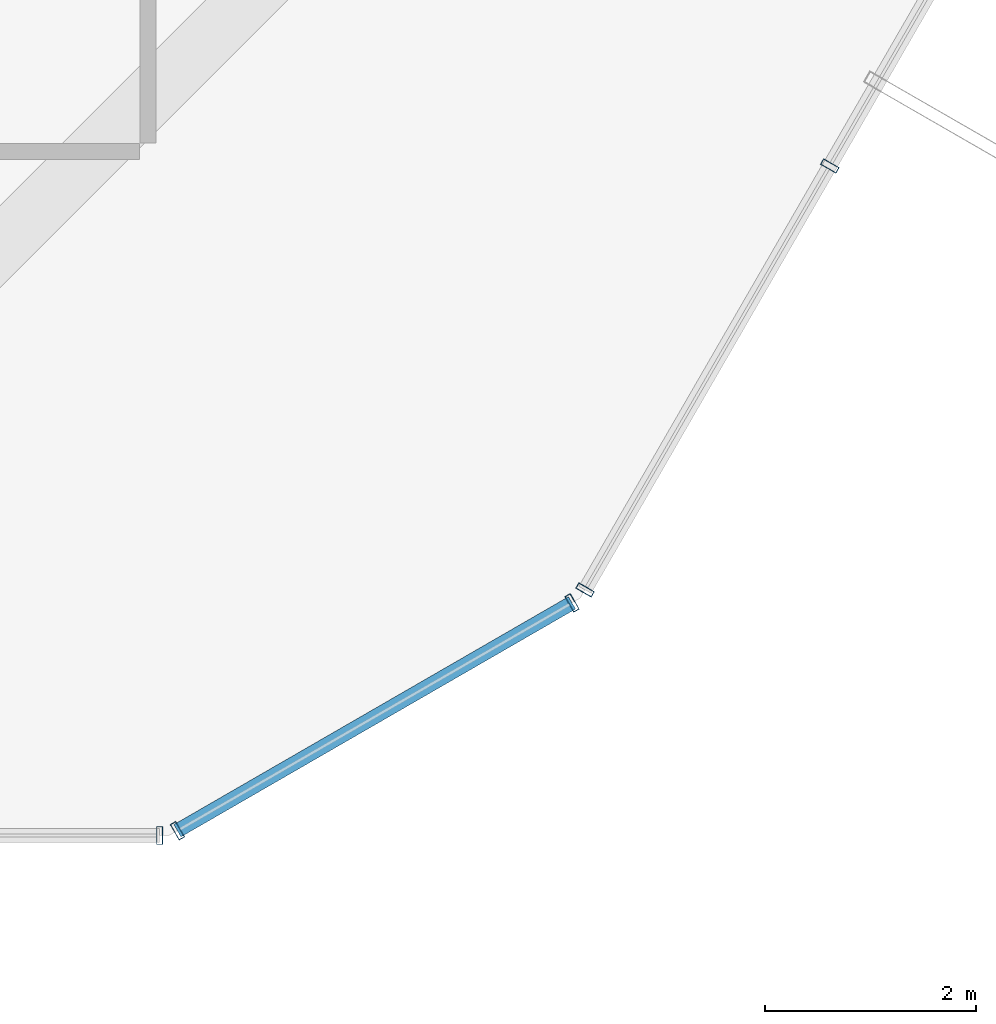
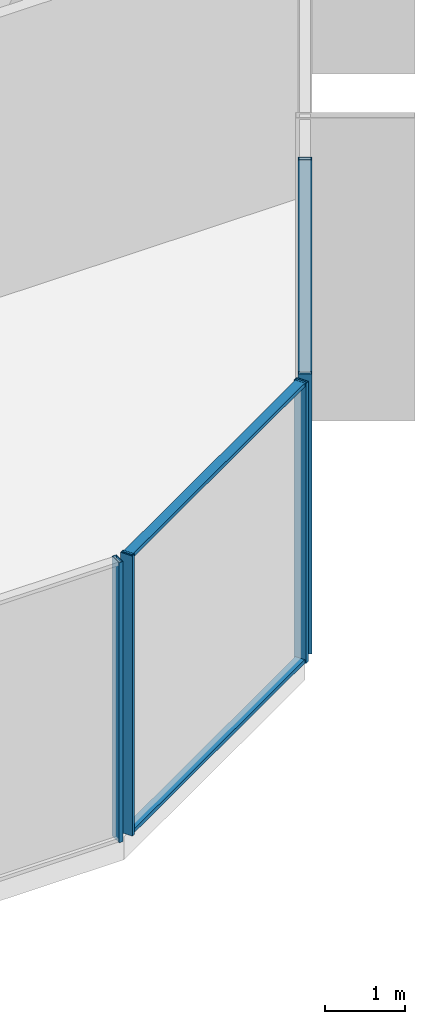
# One storey, part 14 of 39: 7 members, 3 elements without a shape of their own.
"""IFC4 building model written with IfcOpenShell, lengths in metres."""

from ifc_helpers import new_model, si_unit, direction, frame, origin, origin_2d, place, context, subcontext, project, spatial, hollow_rectangle, extrude, source, transform, mapped, material, layer, layer_set, material_profile, profile_set, type_object, element, aggregate, save


model = new_model("IFC4")

# Units and contexts
model_context = context("Model", 3, precision=1e-05, world=origin(), true_north=direction((0.0, 1.0)))
body_context = subcontext(model_context, "Body", "Model", "MODEL_VIEW")
ifc_project = project(units=[si_unit("LENGTHUNIT", "METRE"), si_unit("AREAUNIT", "SQUARE_METRE"), si_unit("VOLUMEUNIT", "CUBIC_METRE"), si_unit("PLANEANGLEUNIT", "RADIAN"), si_unit("MASSUNIT", "GRAM", prefix="KILO")], contexts=[model_context])

# Site, building, storey
site_placement = place(None, origin())
site = spatial("IfcSite", under=ifc_project, at=site_placement, CompositionType="ELEMENT")
building_placement = place(site_placement, origin())
building = spatial("IfcBuilding", under=site, at=building_placement, Name="Veraguas Prism Commons", CompositionType="ELEMENT")
storey_placement = place(building_placement, frame((0.0, 0.0, 22.800048828125)))
storey = spatial("IfcBuildingStorey", under=building, at=storey_placement, Name="L05", CompositionType="ELEMENT", Elevation=22.800048828125)

# Curtain wall, member
ifc_material = material(Name="Anodised aluminium EN AW-6063 T6", Category="aluminium")
ifc_layer = layer(ifc_material, 0.169921875, Name="Unitised Flush Curtain Wall Zone 1", Category="aluminium")
ifc_layer_set = layer_set([ifc_layer], Name="Anodised aluminium EN AW-6063 T6")
curtain_wall_type = type_object("IfcCurtainWallType", Name="Unitised Flush Curtain Wall Zone 1", PredefinedType="NOTDEFINED", material=ifc_layer_set)
curtain_wall_1_placement = place(storey_placement, origin())
curtain_wall_1 = element("IfcCurtainWall", 1, at=curtain_wall_1_placement, inside=storey, type_object=curtain_wall_type, Name="Tower Facade Curtain Wall L05-F5", PredefinedType="NOTDEFINED")
ifc_material_profile_1 = material_profile(ifc_material, hollow_rectangle(XDim=0.06005859375, YDim=0.169921875, WallThickness=0.00390625, at=origin_2d()), Name="AL60X170X4")
ifc_profile_set_1 = profile_set([ifc_material_profile_1], Name="Anodised aluminium EN AW-6063 T6")
member_type_1 = type_object("IfcMemberType", Name="Curtain Wall Mullion Lower AL 60x170x4", PredefinedType="MULLION", material=ifc_profile_set_1)
shared_shape_1 = source(origin(), body_context, "Body", "SweptSolid", [
    extrude(hollow_rectangle(XDim=0.06005859375, YDim=0.169921875, WallThickness=0.00390625, at=origin_2d()), origin(), (0.0, 0.0, 1.0), 4.25),
])
member_1_placement = place(storey_placement, frame((33.31201171875, 3.21533203125, 0.0), z_axis=(0.0, 0.0, 1.0), x_axis=(1.0, 0.0, 0.0)))
member_1 = element("IfcMember", 2, at=member_1_placement, type_object=member_type_1, Name="CW-Z1 Mullion 5", PredefinedType="MULLION", context=body_context, shape_type="MappedRepresentation", body=[
    mapped(shared_shape_1, transform((0.0, 0.0, 0.0), scale=1.0)),
])
aggregate(curtain_wall_1, [member_1])

# Curtain wall, members
curtain_wall_2_placement = place(storey_placement, origin())
curtain_wall_2 = element("IfcCurtainWall", 3, at=curtain_wall_2_placement, inside=storey, type_object=curtain_wall_type, Name="Tower Facade Curtain Wall L05-F6", PredefinedType="NOTDEFINED")
member_2_placement = place(storey_placement, frame((37.343994140625, 5.54345703125, 0.0), z_axis=(0.0, 0.0, 1.0), x_axis=(0.500004534492, 0.866022785779, 0.0)))
member_2 = element("IfcMember", 4, at=member_2_placement, type_object=member_type_1, Name="CW-Z1 Mullion 1", PredefinedType="MULLION", context=body_context, shape_type="MappedRepresentation", body=[
    mapped(shared_shape_1, transform((0.0, 0.0, 0.0), scale=1.0)),
])
member_3_placement = place(storey_placement, frame((39.66455078125, 9.5625, 0.0), z_axis=(0.0, 0.0, 1.0), x_axis=(0.500004534492, 0.866022785779, 0.0)))
member_3 = element("IfcMember", 5, at=member_3_placement, type_object=member_type_1, Name="CW-Z1 Mullion 2", PredefinedType="MULLION", context=body_context, shape_type="MappedRepresentation", body=[
    mapped(shared_shape_1, transform((0.0, 0.0, 0.0), scale=1.0)),
])
aggregate(curtain_wall_2, [member_2, member_3])

curtain_wall_3_placement = place(storey_placement, origin())
curtain_wall_3 = element("IfcCurtainWall", 6, at=curtain_wall_3_placement, inside=storey, type_object=curtain_wall_type, Name="Chamfer Curtain Wall L05-C6", PredefinedType="NOTDEFINED")
member_4_placement = place(storey_placement, frame((33.47998046875, 3.260498046875, 0.0), z_axis=(0.0, 0.0, 1.0), x_axis=(0.866020167749, 0.500009068969, 0.0)))
member_4 = element("IfcMember", 7, at=member_4_placement, type_object=member_type_1, Name="CW-Z1 Mullion 1", PredefinedType="MULLION", context=body_context, shape_type="MappedRepresentation", body=[
    mapped(shared_shape_1, transform((0.0, 0.0, 0.0), scale=1.0)),
])
member_5_placement = place(storey_placement, frame((37.220947265625, 5.42041015625, 0.0), z_axis=(0.0, 0.0, 1.0), x_axis=(0.866020167749, 0.500009068969, 0.0)))
member_5 = element("IfcMember", 8, at=member_5_placement, type_object=member_type_1, Name="CW-Z1 Mullion 2", PredefinedType="MULLION", context=body_context, shape_type="MappedRepresentation", body=[
    mapped(shared_shape_1, transform((0.0, 0.0, 0.0), scale=1.0)),
])
ifc_material_profile_2 = material_profile(ifc_material, hollow_rectangle(XDim=0.054931640625, YDim=0.135009765625, WallThickness=0.0029296875, at=origin_2d()), Name="AL55X135X3")
ifc_profile_set_2 = profile_set([ifc_material_profile_2], Name="Anodised aluminium EN AW-6063 T6")
member_type_2 = type_object("IfcMemberType", Name="Curtain Wall Transom Standard AL 55x135x3", PredefinedType="USERDEFINED", material=ifc_profile_set_2)
shared_shape_2 = source(origin(), body_context, "Body", "SweptSolid", [
    extrude(hollow_rectangle(XDim=0.054931640625, YDim=0.135009765625, WallThickness=0.0029296875, at=origin_2d()), origin(), (0.0, 0.0, 1.0), 4.31982421875),
])
member_6_placement = place(storey_placement, frame((33.47998046875, 3.260498046875, 0.02734375), z_axis=(0.866018996109, 0.500011098256, 0.0), x_axis=(0.0, 0.0, 1.0)))
member_6 = element("IfcMember", 9, at=member_6_placement, type_object=member_type_2, Name="CW-Z1 Transom 1", ObjectType="TRANSOM", PredefinedType="USERDEFINED", context=body_context, shape_type="MappedRepresentation", body=[
    mapped(shared_shape_2, transform((0.0, 0.0, 0.0), scale=1.0)),
])
member_7_placement = place(storey_placement, frame((33.47998046875, 3.260498046875, 4.222412109375), z_axis=(0.866018996109, 0.500011098256, 0.0), x_axis=(0.0, 0.0, 1.0)))
member_7 = element("IfcMember", 10, at=member_7_placement, type_object=member_type_2, Name="CW-Z1 Transom 2", ObjectType="TRANSOM", PredefinedType="USERDEFINED", context=body_context, shape_type="MappedRepresentation", body=[
    mapped(shared_shape_2, transform((0.0, 0.0, 0.0), scale=1.0)),
])
aggregate(curtain_wall_3, [member_4, member_5, member_6, member_7])

save(model, "model.ifc")
